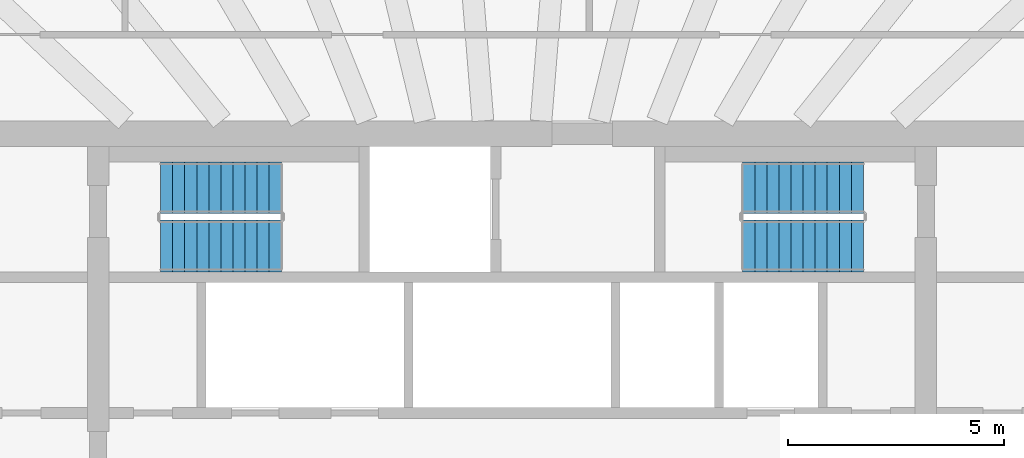
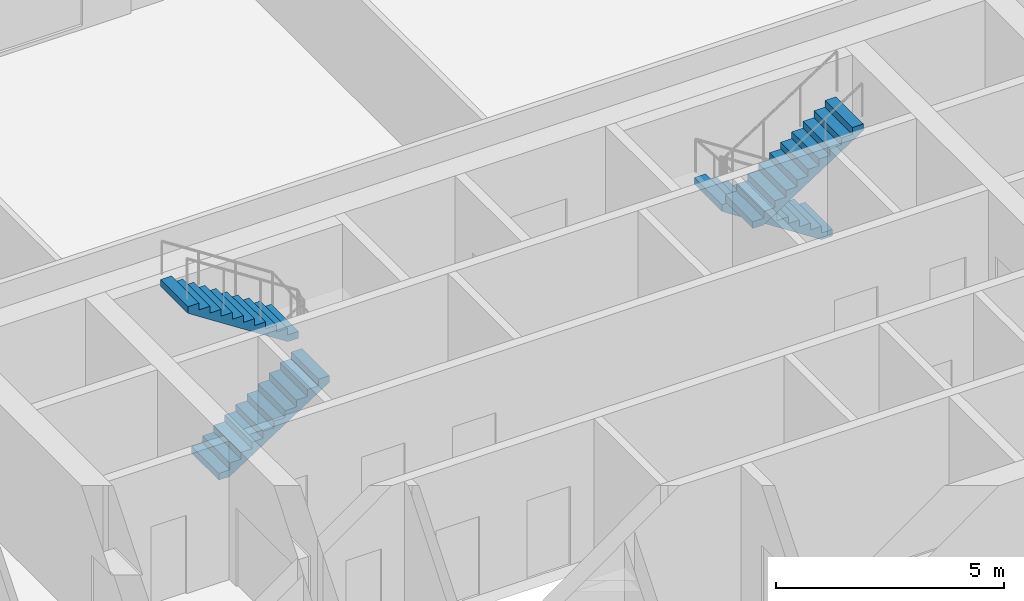
# One storey, part 8 of 12: 4 stair flights, 2 elements without a shape of their own.
"""IFC4 building model written with IfcOpenShell, lengths in metres."""

import ifcopenshell
import ifcopenshell.guid

model = None  # the IFC model being written
_history = None  # IfcOwnerHistory: only IFC2X3 demands one
_inside = {}  # id of a spatial element -> (the spatial element, [elements in it])
_under = {}  # id of a project, library or spatial element -> (it, [spatial elements below it])
_declared = {}  # id of a project -> (the project, [libraries it declares])
_typed = {}  # id of a type object -> (the type object, [elements of that type])
_made_of = {}  # id of a material, layer set ... -> (it, [elements and type objects made of it])


def new_model(schema):
    """Start an empty IFC model of exactly this schema.

    Asked for "IFC4X3", IfcOpenShell would pick the latest addendum, in which some entities
    have other attributes; the version numbers below select the first issue.
    IFC2X3 requires an IfcOwnerHistory on every rooted entity: one is made here for all.
    """
    global model, _history
    if schema == "IFC4X3":
        model = ifcopenshell.file(schema_version=(4, 3, 0, 0))
    else:
        model = ifcopenshell.file(schema=schema)
    _inside.clear()
    _under.clear()
    _declared.clear()
    _typed.clear()
    _made_of.clear()
    _history = None
    if model.schema == "IFC2X3":
        org = make("IfcOrganization", Name="unknown")
        user = make(
            "IfcPersonAndOrganization",
            ThePerson=make("IfcPerson", FamilyName="unknown"),
            TheOrganization=org,
        )
        app = make(
            "IfcApplication",
            ApplicationDeveloper=org,
            Version="unknown",
            ApplicationFullName="unknown",
            ApplicationIdentifier="unknown",
        )
        _history = make(
            "IfcOwnerHistory",
            OwningUser=user,
            OwningApplication=app,
            ChangeAction="ADDED",
            CreationDate=0,
        )
    return model


def make(cls, **values):
    """One entity of the class cls with the attributes given. An attribute that is None is left unset."""
    return model.create_entity(
        cls, **{name: value for name, value in values.items() if value is not None}
    )


def rooted(cls, **values):
    """An entity with a GlobalId (a new one), such as an element, a storey or a relation."""
    return make(cls, GlobalId=ifcopenshell.guid.new(), OwnerHistory=_history, **values)


def si_unit(unit_type, name, prefix=None):
    """IfcSIUnit, for example si_unit("LENGTHUNIT", "METRE", prefix="MILLI")."""
    return make("IfcSIUnit", UnitType=unit_type, Prefix=prefix, Name=name)


def assignment(units):
    """IfcUnitAssignment: the units of a project."""
    return None if units is None else make("IfcUnitAssignment", Units=units)


def point(xyz):
    """IfcCartesianPoint."""
    return None if xyz is None else make("IfcCartesianPoint", Coordinates=xyz)


def direction(xyz):
    """IfcDirection."""
    return None if xyz is None else make("IfcDirection", DirectionRatios=xyz)


def frame(location, z_axis=None, x_axis=None):
    """IfcAxis2Placement3D, a coordinate frame: its origin and axes. An axis left out is left unset."""
    return make(
        "IfcAxis2Placement3D",
        Location=point(location),
        Axis=direction(z_axis),
        RefDirection=direction(x_axis),
    )


def origin():
    """The frame at (0, 0, 0) with its axes left unset."""
    return frame((0.0, 0.0, 0.0))


def place(relative_to, where):
    """IfcLocalPlacement: puts the frame where relative to a parent placement (None: the world)."""
    return make(
        "IfcLocalPlacement", PlacementRelTo=relative_to, RelativePlacement=where
    )


def context(
    kind, dimensions, precision=None, world=None, true_north=None, identifier=None
):
    """IfcGeometricRepresentationContext, for example the 3D "Model" context."""
    return make(
        "IfcGeometricRepresentationContext",
        ContextIdentifier=identifier,
        ContextType=kind,
        CoordinateSpaceDimension=dimensions,
        Precision=precision,
        WorldCoordinateSystem=world,
        TrueNorth=true_north,
    )


def subcontext(parent, identifier, kind, view, scale=None):
    """IfcGeometricRepresentationSubContext, for example "Body" below "Model"."""
    return make(
        "IfcGeometricRepresentationSubContext",
        ContextIdentifier=identifier,
        ContextType=kind,
        ParentContext=parent,
        TargetScale=scale,
        TargetView=view,
    )


def project(units=None, contexts=None):
    """IfcProject with its units and contexts."""
    return rooted(
        "IfcProject",
        Name="project",
        RepresentationContexts=contexts,
        UnitsInContext=assignment(units),
    )


def spatial(cls, under=None, at=None, **own):
    """A site, building, storey or space (cls), placed at a placement, below another one or the project."""
    s = rooted(cls, ObjectPlacement=at, **own)
    if under is not None:
        _under.setdefault(under.id(), (under, []))[1].append(s)
    return s


def polyline(points):
    """IfcPolyline through the points."""
    return make("IfcPolyline", Points=[point(p) for p in points])


def outline(outer, holes=None, kind="AREA"):
    """IfcArbitraryClosedProfileDef: a profile drawn as a closed curve; with holes, ...WithVoids."""
    if holes is None:
        return make("IfcArbitraryClosedProfileDef", ProfileType=kind, OuterCurve=outer)
    return make(
        "IfcArbitraryProfileDefWithVoids",
        ProfileType=kind,
        OuterCurve=outer,
        InnerCurves=holes,
    )


def extrude(swept, where, along, depth):
    """IfcExtrudedAreaSolid: the profile swept, set in the frame where, extruded along a direction by depth."""
    return make(
        "IfcExtrudedAreaSolid",
        SweptArea=swept,
        Position=where,
        ExtrudedDirection=direction(along),
        Depth=depth,
    )


def shape(context_of_items, identifier, shape_type, items):
    """IfcShapeRepresentation: the items that make up one representation, for example the "Body"."""
    return make(
        "IfcShapeRepresentation",
        ContextOfItems=context_of_items,
        RepresentationIdentifier=identifier,
        RepresentationType=shape_type,
        Items=items,
    )


def material(Name=None, Category=None):
    """IfcMaterial."""
    return make("IfcMaterial", Name=Name, Category=Category)


def layer(
    of_material, thickness, ventilated=None, Name=None, Category=None, Priority=None
):
    """IfcMaterialLayer: one layer of a wall or slab, of a material (None: an air gap)."""
    return make(
        "IfcMaterialLayer",
        Material=of_material,
        LayerThickness=thickness,
        IsVentilated=ventilated,
        Name=Name,
        Category=Category,
        Priority=Priority,
    )


def layer_set(layers, Name=None):
    """IfcMaterialLayerSet."""
    return make("IfcMaterialLayerSet", MaterialLayers=layers, LayerSetName=Name)


def made_of(thing, what):
    """Note that an element or type object is made of a material, layer set ...; save() writes the relation."""
    if what is not None:
        _made_of.setdefault(what.id(), (what, []))[1].append(thing)
    return thing


def type_object(cls, material=None, **own):
    """A type object (cls), such as IfcWallType, which elements share."""
    return made_of(rooted(cls, **own), material)


def element(
    cls,
    number,
    at=None,
    inside=None,
    cuts=None,
    type_object=None,
    material=None,
    context=None,
    identifier="Body",
    shape_type=None,
    held_by="IfcProductDefinitionShape",
    body=None,
    shapes=None,
    **own,
):
    """One element of the class cls, such as IfcWall. Its Tag is "e" and its number.

    at: its placement. inside: the storey or other place that contains it. cuts: it is an
    opening in that element (IfcRelVoidsElement). A single representation is given by context,
    identifier, shape_type and body (its items); several are given by shapes. held_by: the class
    of the entity that holds the representations. save() writes the other relations.
    """
    e = rooted(cls, Tag="e%d" % number, ObjectPlacement=at, **own)
    if body is not None:
        shapes = [shape(context, identifier, shape_type, body)]
    if shapes is not None:
        e.Representation = make(held_by, Representations=shapes)
    if inside is not None:
        _inside.setdefault(inside.id(), (inside, []))[1].append(e)
    if cuts is not None:
        rooted(
            "IfcRelVoidsElement", RelatingBuildingElement=cuts, RelatedOpeningElement=e
        )
    if type_object is not None:
        _typed.setdefault(type_object.id(), (type_object, []))[1].append(e)
    return made_of(e, material)


def aggregate(whole, parts):
    """IfcRelAggregates: a whole, such as a stair, and the parts it consists of."""
    return rooted("IfcRelAggregates", RelatingObject=whole, RelatedObjects=parts)


def save(model, path):
    """Write the relations noted so far, then the file.

    IfcRelAggregates (storeys below a building ...), IfcRelContainedInSpatialStructure (elements
    in a storey), IfcRelDefinesByType, IfcRelAssociatesMaterial and IfcRelDeclares: one each for
    every whole, place, type object, material and project.
    """
    for whole, parts in _under.values():
        aggregate(whole, parts)
    for where, things in _inside.values():
        rooted(
            "IfcRelContainedInSpatialStructure",
            RelatedElements=things,
            RelatingStructure=where,
        )
    for kind, things in _typed.values():
        rooted("IfcRelDefinesByType", RelatedObjects=things, RelatingType=kind)
    for what, things in _made_of.values():
        rooted("IfcRelAssociatesMaterial", RelatedObjects=things, RelatingMaterial=what)
    for by, libraries in _declared.values():
        rooted("IfcRelDeclares", RelatingContext=by, RelatedDefinitions=libraries)
    model.write(path)


model = new_model("IFC4")

# Units and contexts
model_context = context("Model", 3, precision=1e-05, world=origin(), true_north=direction((0.0, 1.0)))
body_context = subcontext(model_context, "Body", "Model", "MODEL_VIEW")
ifc_project = project(units=[si_unit("LENGTHUNIT", "METRE"), si_unit("AREAUNIT", "SQUARE_METRE"), si_unit("VOLUMEUNIT", "CUBIC_METRE"), si_unit("PLANEANGLEUNIT", "RADIAN"), si_unit("MASSUNIT", "GRAM", prefix="KILO")], contexts=[model_context])

# Site, building, storey
site_placement = place(None, origin())
site = spatial("IfcSite", under=ifc_project, at=site_placement, CompositionType="ELEMENT")
building_placement = place(site_placement, origin())
building = spatial("IfcBuilding", under=site, at=building_placement, Name="Frailejon Research Tower", CompositionType="ELEMENT")
storey_placement = place(building_placement, frame((0.0, 0.0, 215.39990234375)))
storey = spatial("IfcBuildingStorey", under=building, at=storey_placement, Name="L46", CompositionType="ELEMENT", Elevation=215.39990234375)

# Stair, stair flights
ifc_material_1 = material(Name="Concrete C50/60", Category="concrete")
stair_type = type_object("IfcStairType", Name="Exit stair 22 risers", PredefinedType="HALF_TURN_STAIR", material=ifc_material_1)
stair_1_placement = place(storey_placement, origin())
stair_1 = element("IfcStair", 1, at=stair_1_placement, inside=storey, type_object=stair_type, Name="L46 Exit stair ST1", PredefinedType="HALF_TURN_STAIR")
ifc_material_2 = material(Name="Concrete C50/60", Category="concrete")
ifc_layer = layer(ifc_material_2, 0.14990234375)
ifc_layer_set = layer_set([ifc_layer], Name="Stair flight 11 risers")
stair_flight_type = type_object("IfcStairFlightType", Name="Stair flight 11 risers", PredefinedType="STRAIGHT", material=ifc_layer_set)
stair_flight_1_placement = place(storey_placement, frame((-8.14990234375, 5.5, 0.0), z_axis=(0.0, 0.0, 1.0), x_axis=(1.0, 0.0, 0.0)))
stair_flight_1 = element("IfcStairFlight", 2, at=stair_flight_1_placement, type_object=stair_flight_type, Name="ST1 flight 1", NumberOfRisers=11, NumberOfTreads=10, PredefinedType="STRAIGHT", RiserHeight=0.181818182, TreadLength=0.28, context=body_context, shape_type="SweptSolid", body=[
    extrude(outline(polyline([(0.0, 0.0), (0.0, 0.181884765625), (0.280029296875, 0.181884765625), (0.280029296875, 0.363525390625), (0.56005859375, 0.363525390625), (0.56005859375, 0.54541015625), (0.840087890625, 0.54541015625), (0.840087890625, 0.727294921875), (1.1201171875, 0.727294921875), (1.1201171875, 0.9091796875), (1.39990234375, 0.9091796875), (1.39990234375, 1.0908203125), (1.679931640625, 1.0908203125), (1.679931640625, 1.272705078125), (1.9599609375, 1.272705078125), (1.9599609375, 1.45458984375), (2.239990234375, 1.45458984375), (2.239990234375, 1.636474609375), (2.52001953125, 1.636474609375), (2.52001953125, 1.818115234375), (2.800048828125, 1.818115234375), (2.800048828125, 2.0), (2.800048828125, 1.639404296875), (0.275146484375, 0.0), (0.0, 0.0)])), frame((0.0, 0.60009765625, 0.0), z_axis=(0.0, -1.0, 0.0), x_axis=(1.0, 0.0, 0.0)), (0.0, 0.0, 1.0), 1.199951171875),
])
stair_flight_2_placement = place(storey_placement, frame((-5.35009765625, 6.85009765625, 2.0), z_axis=(0.0, 0.0, 1.0), x_axis=(-1.0, 0.0, 0.0)))
stair_flight_2 = element("IfcStairFlight", 3, at=stair_flight_2_placement, type_object=stair_flight_type, Name="ST1 flight 2", NumberOfRisers=11, NumberOfTreads=10, PredefinedType="STRAIGHT", RiserHeight=0.181818182, TreadLength=0.28, context=body_context, shape_type="SweptSolid", body=[
    extrude(outline(polyline([(0.0, 0.0), (0.0, 0.181884765625), (0.280029296875, 0.181884765625), (0.280029296875, 0.363525390625), (0.56005859375, 0.363525390625), (0.56005859375, 0.54541015625), (0.840087890625, 0.54541015625), (0.840087890625, 0.727294921875), (1.1201171875, 0.727294921875), (1.1201171875, 0.9091796875), (1.39990234375, 0.9091796875), (1.39990234375, 1.0908203125), (1.679931640625, 1.0908203125), (1.679931640625, 1.272705078125), (1.9599609375, 1.272705078125), (1.9599609375, 1.45458984375), (2.239990234375, 1.45458984375), (2.239990234375, 1.636474609375), (2.52001953125, 1.636474609375), (2.52001953125, 1.818115234375), (2.800048828125, 1.818115234375), (2.800048828125, 2.0), (2.800048828125, 1.639404296875), (0.275146484375, 0.0), (0.0, 0.0)])), frame((0.0, 0.60009765625, 0.0), z_axis=(0.0, -1.0, 0.0), x_axis=(1.0, 0.0, 0.0)), (0.0, 0.0, 1.0), 1.199951171875),
])
aggregate(stair_1, [stair_flight_1, stair_flight_2])

stair_2_placement = place(storey_placement, origin())
stair_2 = element("IfcStair", 4, at=stair_2_placement, inside=storey, type_object=stair_type, Name="L46 Exit stair ST3", PredefinedType="HALF_TURN_STAIR")
stair_flight_3_placement = place(storey_placement, frame((8.14990234375, 6.85009765625, 0.0), z_axis=(0.0, 0.0, 1.0), x_axis=(-1.0, 0.0, 0.0)))
stair_flight_3 = element("IfcStairFlight", 5, at=stair_flight_3_placement, type_object=stair_flight_type, Name="ST3 flight 1", NumberOfRisers=11, NumberOfTreads=10, PredefinedType="STRAIGHT", RiserHeight=0.181818182, TreadLength=0.28, context=body_context, shape_type="SweptSolid", body=[
    extrude(outline(polyline([(0.0, 0.0), (0.0, 0.181884765625), (0.280029296875, 0.181884765625), (0.280029296875, 0.363525390625), (0.56005859375, 0.363525390625), (0.56005859375, 0.54541015625), (0.840087890625, 0.54541015625), (0.840087890625, 0.727294921875), (1.1201171875, 0.727294921875), (1.1201171875, 0.9091796875), (1.39990234375, 0.9091796875), (1.39990234375, 1.0908203125), (1.679931640625, 1.0908203125), (1.679931640625, 1.272705078125), (1.9599609375, 1.272705078125), (1.9599609375, 1.45458984375), (2.239990234375, 1.45458984375), (2.239990234375, 1.636474609375), (2.52001953125, 1.636474609375), (2.52001953125, 1.818115234375), (2.800048828125, 1.818115234375), (2.800048828125, 2.0), (2.800048828125, 1.639404296875), (0.275146484375, 0.0), (0.0, 0.0)])), frame((0.0, 0.60009765625, 0.0), z_axis=(0.0, -1.0, 0.0), x_axis=(1.0, 0.0, 0.0)), (0.0, 0.0, 1.0), 1.199951171875),
])
stair_flight_4_placement = place(storey_placement, frame((5.35009765625, 5.5, 2.0), z_axis=(0.0, 0.0, 1.0), x_axis=(1.0, 0.0, 0.0)))
stair_flight_4 = element("IfcStairFlight", 6, at=stair_flight_4_placement, type_object=stair_flight_type, Name="ST3 flight 2", NumberOfRisers=11, NumberOfTreads=10, PredefinedType="STRAIGHT", RiserHeight=0.181818182, TreadLength=0.28, context=body_context, shape_type="SweptSolid", body=[
    extrude(outline(polyline([(0.0, 0.0), (0.0, 0.181884765625), (0.280029296875, 0.181884765625), (0.280029296875, 0.363525390625), (0.56005859375, 0.363525390625), (0.56005859375, 0.54541015625), (0.840087890625, 0.54541015625), (0.840087890625, 0.727294921875), (1.1201171875, 0.727294921875), (1.1201171875, 0.9091796875), (1.39990234375, 0.9091796875), (1.39990234375, 1.0908203125), (1.679931640625, 1.0908203125), (1.679931640625, 1.272705078125), (1.9599609375, 1.272705078125), (1.9599609375, 1.45458984375), (2.239990234375, 1.45458984375), (2.239990234375, 1.636474609375), (2.52001953125, 1.636474609375), (2.52001953125, 1.818115234375), (2.800048828125, 1.818115234375), (2.800048828125, 2.0), (2.800048828125, 1.639404296875), (0.275146484375, 0.0), (0.0, 0.0)])), frame((0.0, 0.60009765625, 0.0), z_axis=(0.0, -1.0, 0.0), x_axis=(1.0, 0.0, 0.0)), (0.0, 0.0, 1.0), 1.199951171875),
])
aggregate(stair_2, [stair_flight_3, stair_flight_4])

save(model, "model.ifc")
